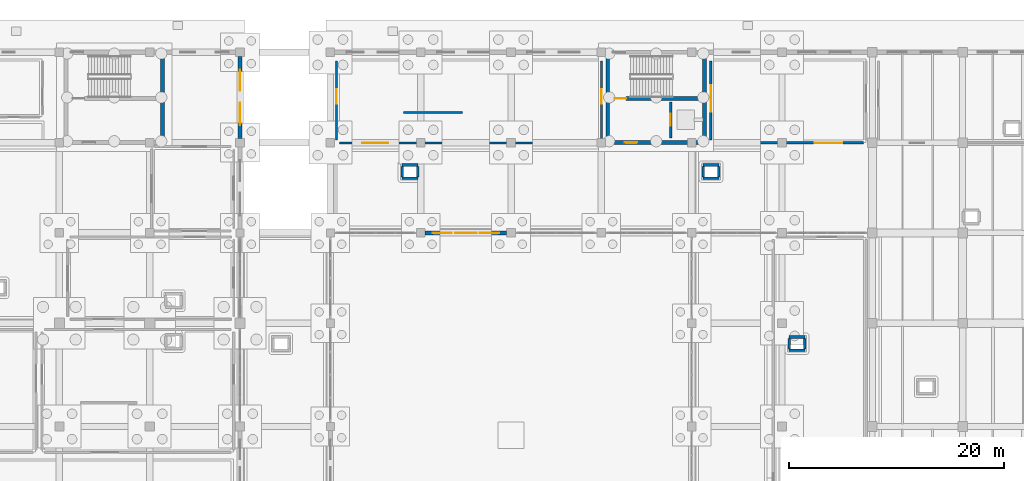
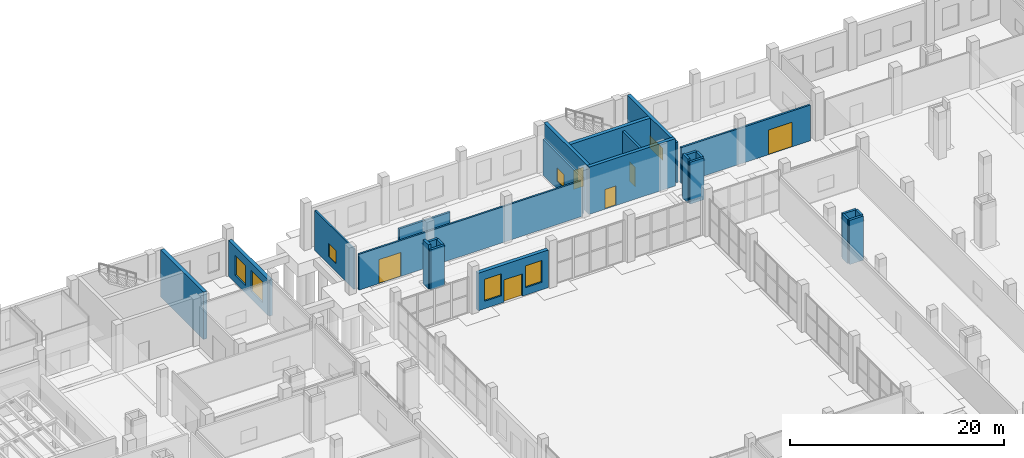
# One storey, part 44 of 65: 26 walls, 7 windows, 6 doors, 13 openings.
"""IFC4 building model written with IfcOpenShell, lengths in metres."""

import ifcopenshell
import ifcopenshell.guid

model = None  # the IFC model being written
_history = None  # IfcOwnerHistory: only IFC2X3 demands one
_inside = {}  # id of a spatial element -> (the spatial element, [elements in it])
_under = {}  # id of a project, library or spatial element -> (it, [spatial elements below it])
_declared = {}  # id of a project -> (the project, [libraries it declares])
_typed = {}  # id of a type object -> (the type object, [elements of that type])
_made_of = {}  # id of a material, layer set ... -> (it, [elements and type objects made of it])


def new_model(schema):
    """Start an empty IFC model of exactly this schema.

    Asked for "IFC4X3", IfcOpenShell would pick the latest addendum, in which some entities
    have other attributes; the version numbers below select the first issue.
    IFC2X3 requires an IfcOwnerHistory on every rooted entity: one is made here for all.
    """
    global model, _history
    if schema == "IFC4X3":
        model = ifcopenshell.file(schema_version=(4, 3, 0, 0))
    else:
        model = ifcopenshell.file(schema=schema)
    _inside.clear()
    _under.clear()
    _declared.clear()
    _typed.clear()
    _made_of.clear()
    _history = None
    if model.schema == "IFC2X3":
        org = make("IfcOrganization", Name="unknown")
        user = make(
            "IfcPersonAndOrganization",
            ThePerson=make("IfcPerson", FamilyName="unknown"),
            TheOrganization=org,
        )
        app = make(
            "IfcApplication",
            ApplicationDeveloper=org,
            Version="unknown",
            ApplicationFullName="unknown",
            ApplicationIdentifier="unknown",
        )
        _history = make(
            "IfcOwnerHistory",
            OwningUser=user,
            OwningApplication=app,
            ChangeAction="ADDED",
            CreationDate=0,
        )
    return model


def make(cls, **values):
    """One entity of the class cls with the attributes given. An attribute that is None is left unset."""
    return model.create_entity(
        cls, **{name: value for name, value in values.items() if value is not None}
    )


def rooted(cls, **values):
    """An entity with a GlobalId (a new one), such as an element, a storey or a relation."""
    return make(cls, GlobalId=ifcopenshell.guid.new(), OwnerHistory=_history, **values)


def si_unit(unit_type, name, prefix=None):
    """IfcSIUnit, for example si_unit("LENGTHUNIT", "METRE", prefix="MILLI")."""
    return make("IfcSIUnit", UnitType=unit_type, Prefix=prefix, Name=name)


def assignment(units):
    """IfcUnitAssignment: the units of a project."""
    return None if units is None else make("IfcUnitAssignment", Units=units)


def point(xyz):
    """IfcCartesianPoint."""
    return None if xyz is None else make("IfcCartesianPoint", Coordinates=xyz)


def direction(xyz):
    """IfcDirection."""
    return None if xyz is None else make("IfcDirection", DirectionRatios=xyz)


def frame(location, z_axis=None, x_axis=None):
    """IfcAxis2Placement3D, a coordinate frame: its origin and axes. An axis left out is left unset."""
    return make(
        "IfcAxis2Placement3D",
        Location=point(location),
        Axis=direction(z_axis),
        RefDirection=direction(x_axis),
    )


def frame_2d(location, x_axis=None):
    """IfcAxis2Placement2D, a coordinate frame in the plane: its origin and x axis."""
    return make(
        "IfcAxis2Placement2D", Location=point(location), RefDirection=direction(x_axis)
    )


def origin():
    """The frame at (0, 0, 0) with its axes left unset."""
    return frame((0.0, 0.0, 0.0))


def place(relative_to, where):
    """IfcLocalPlacement: puts the frame where relative to a parent placement (None: the world)."""
    return make(
        "IfcLocalPlacement", PlacementRelTo=relative_to, RelativePlacement=where
    )


def context(
    kind, dimensions, precision=None, world=None, true_north=None, identifier=None
):
    """IfcGeometricRepresentationContext, for example the 3D "Model" context."""
    return make(
        "IfcGeometricRepresentationContext",
        ContextIdentifier=identifier,
        ContextType=kind,
        CoordinateSpaceDimension=dimensions,
        Precision=precision,
        WorldCoordinateSystem=world,
        TrueNorth=true_north,
    )


def subcontext(parent, identifier, kind, view, scale=None):
    """IfcGeometricRepresentationSubContext, for example "Body" below "Model"."""
    return make(
        "IfcGeometricRepresentationSubContext",
        ContextIdentifier=identifier,
        ContextType=kind,
        ParentContext=parent,
        TargetScale=scale,
        TargetView=view,
    )


def project(units=None, contexts=None):
    """IfcProject with its units and contexts."""
    return rooted(
        "IfcProject",
        Name="project",
        RepresentationContexts=contexts,
        UnitsInContext=assignment(units),
    )


def spatial(cls, under=None, at=None, **own):
    """A site, building, storey or space (cls), placed at a placement, below another one or the project."""
    s = rooted(cls, ObjectPlacement=at, **own)
    if under is not None:
        _under.setdefault(under.id(), (under, []))[1].append(s)
    return s


def profile(cls, at=None, kind="AREA", **sizes):
    """A parametric profile (cls). Its sizes go by their IFC names, for example OverallWidth=200.0."""
    return make(cls, ProfileType=kind, Position=at, **sizes)


def rectangle(**sizes):
    """IfcRectangleProfileDef."""
    return profile("IfcRectangleProfileDef", **sizes)


def extrude(swept, where, along, depth):
    """IfcExtrudedAreaSolid: the profile swept, set in the frame where, extruded along a direction by depth."""
    return make(
        "IfcExtrudedAreaSolid",
        SweptArea=swept,
        Position=where,
        ExtrudedDirection=direction(along),
        Depth=depth,
    )


def shape(context_of_items, identifier, shape_type, items):
    """IfcShapeRepresentation: the items that make up one representation, for example the "Body"."""
    return make(
        "IfcShapeRepresentation",
        ContextOfItems=context_of_items,
        RepresentationIdentifier=identifier,
        RepresentationType=shape_type,
        Items=items,
    )


def material(Name=None, Category=None):
    """IfcMaterial."""
    return make("IfcMaterial", Name=Name, Category=Category)


def layer(
    of_material, thickness, ventilated=None, Name=None, Category=None, Priority=None
):
    """IfcMaterialLayer: one layer of a wall or slab, of a material (None: an air gap)."""
    return make(
        "IfcMaterialLayer",
        Material=of_material,
        LayerThickness=thickness,
        IsVentilated=ventilated,
        Name=Name,
        Category=Category,
        Priority=Priority,
    )


def layer_set(layers, Name=None):
    """IfcMaterialLayerSet."""
    return make("IfcMaterialLayerSet", MaterialLayers=layers, LayerSetName=Name)


def made_of(thing, what):
    """Note that an element or type object is made of a material, layer set ...; save() writes the relation."""
    if what is not None:
        _made_of.setdefault(what.id(), (what, []))[1].append(thing)
    return thing


def type_object(cls, material=None, **own):
    """A type object (cls), such as IfcWallType, which elements share."""
    return made_of(rooted(cls, **own), material)


def element(
    cls,
    number,
    at=None,
    inside=None,
    cuts=None,
    type_object=None,
    material=None,
    context=None,
    identifier="Body",
    shape_type=None,
    held_by="IfcProductDefinitionShape",
    body=None,
    shapes=None,
    **own,
):
    """One element of the class cls, such as IfcWall. Its Tag is "e" and its number.

    at: its placement. inside: the storey or other place that contains it. cuts: it is an
    opening in that element (IfcRelVoidsElement). A single representation is given by context,
    identifier, shape_type and body (its items); several are given by shapes. held_by: the class
    of the entity that holds the representations. save() writes the other relations.
    """
    e = rooted(cls, Tag="e%d" % number, ObjectPlacement=at, **own)
    if body is not None:
        shapes = [shape(context, identifier, shape_type, body)]
    if shapes is not None:
        e.Representation = make(held_by, Representations=shapes)
    if inside is not None:
        _inside.setdefault(inside.id(), (inside, []))[1].append(e)
    if cuts is not None:
        rooted(
            "IfcRelVoidsElement", RelatingBuildingElement=cuts, RelatedOpeningElement=e
        )
    if type_object is not None:
        _typed.setdefault(type_object.id(), (type_object, []))[1].append(e)
    return made_of(e, material)


def fill(opening, filler):
    """IfcRelFillsElement: the door or window that sits in an opening."""
    return rooted(
        "IfcRelFillsElement",
        RelatingOpeningElement=opening,
        RelatedBuildingElement=filler,
    )


def aggregate(whole, parts):
    """IfcRelAggregates: a whole, such as a stair, and the parts it consists of."""
    return rooted("IfcRelAggregates", RelatingObject=whole, RelatedObjects=parts)


def save(model, path):
    """Write the relations noted so far, then the file.

    IfcRelAggregates (storeys below a building ...), IfcRelContainedInSpatialStructure (elements
    in a storey), IfcRelDefinesByType, IfcRelAssociatesMaterial and IfcRelDeclares: one each for
    every whole, place, type object, material and project.
    """
    for whole, parts in _under.values():
        aggregate(whole, parts)
    for where, things in _inside.values():
        rooted(
            "IfcRelContainedInSpatialStructure",
            RelatedElements=things,
            RelatingStructure=where,
        )
    for kind, things in _typed.values():
        rooted("IfcRelDefinesByType", RelatedObjects=things, RelatingType=kind)
    for what, things in _made_of.values():
        rooted("IfcRelAssociatesMaterial", RelatedObjects=things, RelatingMaterial=what)
    for by, libraries in _declared.values():
        rooted("IfcRelDeclares", RelatingContext=by, RelatedDefinitions=libraries)
    model.write(path)


model = new_model("IFC4")

# Units and contexts
model_context = context("Model", 3, precision=1e-05, world=origin(), true_north=direction((0.0, 1.0)))
body_context = subcontext(model_context, "Body", "Model", "MODEL_VIEW")
ifc_project = project(units=[si_unit("LENGTHUNIT", "METRE"), si_unit("AREAUNIT", "SQUARE_METRE"), si_unit("VOLUMEUNIT", "CUBIC_METRE"), si_unit("PLANEANGLEUNIT", "RADIAN"), si_unit("MASSUNIT", "GRAM", prefix="KILO")], contexts=[model_context])

# Site, building, storey
site_placement = place(None, origin())
site = spatial("IfcSite", under=ifc_project, at=site_placement, CompositionType="ELEMENT")
building_placement = place(site_placement, origin())
building = spatial("IfcBuilding", under=site, at=building_placement, Name="Zulmaris Art Gallery", CompositionType="ELEMENT")
storey_placement = place(building_placement, origin())
storey = spatial("IfcBuildingStorey", under=building, at=storey_placement, Name="L00", CompositionType="ELEMENT", Elevation=0.0)

# Wall, openings, door, windows
ifc_material_1 = material(Name="Omani Desert Rose Limestone Cladding Wall", Category="masonry")
ifc_layer_1 = layer(ifc_material_1, 0.389892578125)
ifc_layer_set_1 = layer_set([ifc_layer_1], Name="Omani Desert Rose Limestone Cladding Wall")
wall_type_1 = type_object("IfcWallType", Name="ENV-WALL-EW02", PredefinedType="SOLIDWALL", material=ifc_layer_set_1)
wall_1_placement = place(storey_placement, frame((100.001953125, 58.800048828125, 0.0), z_axis=(0.0, 0.0, 1.0), x_axis=(1.0, 0.0, 0.0)))
wall_1 = element("IfcWall", 1, at=wall_1_placement, inside=storey, type_object=wall_type_1, Name="L00 V4 North Court Limestone Portal", PredefinedType="SOLIDWALL", context=body_context, shape_type="SweptSolid", body=[
    extrude(rectangle(XDim=7.595947265625, YDim=0.389892578125, at=frame_2d((3.7978515625, 0.0))), origin(), (0.0, 0.0, 1.0), 4.2900390625),
])
opening_1_placement = place(wall_1_placement, frame((0.697998046875, 0.0, 0.85009765625)))
opening_1 = element("IfcOpeningElement", 2, at=opening_1_placement, cuts=wall_1, Name="Opening W02", PredefinedType="OPENING", context=body_context, shape_type="SweptSolid", body=[
    extrude(rectangle(XDim=1.800048828125, YDim=2.5, at=frame_2d((0.89990234375, 1.25))), frame((0.0, 0.204833984375, 0.0), z_axis=(0.0, -1.0, 0.0), x_axis=(1.0, 0.0, 0.0)), (0.0, 0.0, 1.0), 0.409912109375),
])
opening_2_placement = place(wall_1_placement, frame((5.097900390625, 0.0, 0.85009765625)))
opening_2 = element("IfcOpeningElement", 3, at=opening_2_placement, cuts=wall_1, Name="Opening W02", PredefinedType="OPENING", context=body_context, shape_type="SweptSolid", body=[
    extrude(rectangle(XDim=1.800048828125, YDim=2.5, at=frame_2d((0.89990234375, 1.25))), frame((0.0, 0.204833984375, 0.0), z_axis=(0.0, -1.0, 0.0), x_axis=(1.0, 0.0, 0.0)), (0.0, 0.0, 1.0), 0.409912109375),
])
opening_3_placement = place(wall_1_placement, frame((2.798095703125, 0.0, 0.0)))
opening_3 = element("IfcOpeningElement", 4, at=opening_3_placement, cuts=wall_1, Name="Opening ED01", PredefinedType="OPENING", context=body_context, shape_type="SweptSolid", body=[
    extrude(rectangle(XDim=2.0, YDim=2.550048828125, at=frame_2d((1.0, 1.27490234375))), frame((0.0, 0.204833984375, 0.0), z_axis=(0.0, -1.0, 0.0), x_axis=(1.0, 0.0, 0.0)), (0.0, 0.0, 1.0), 0.409912109375),
])
ifc_material_2 = material(Name="Bronze-Framed Glazed Main Entrance Door", Category="glass")
door_type_1 = type_object("IfcDoorType", Name="EDOOR-ED01", OperationType="DOUBLE_SWING_LEFT", PredefinedType="DOOR", material=ifc_material_2)
door_1_placement = place(opening_3_placement, origin())
door_1 = element("IfcDoor", 5, at=door_1_placement, inside=storey, type_object=door_type_1, Name="L00 Sculpture Court North Gallery Door", OperationType="DOUBLE_SWING_LEFT", OverallHeight=2.550048828125, OverallWidth=2.0, PredefinedType="DOOR", context=body_context, shape_type="SweptSolid", body=[
    extrude(rectangle(XDim=2.0, YDim=2.550048828125, at=frame_2d((1.0, 1.27490234375))), frame((0.0, 0.02490234375, 0.0), z_axis=(0.0, -1.0, 0.0), x_axis=(1.0, 0.0, 0.0)), (0.0, 0.0, 1.0), 0.050048828125),
])
fill(opening_3, door_1)
ifc_material_3 = material(Name="Double-Glazed Solar-Control Low-E Window", Category="glass")
window_type_1 = type_object("IfcWindowType", Name="WIN-W02", PartitioningType="SINGLE_PANEL", PredefinedType="WINDOW", material=ifc_material_3)
window_1_placement = place(opening_1_placement, origin())
window_1 = element("IfcWindow", 6, at=window_1_placement, inside=storey, type_object=window_type_1, Name="L00 exterior window W02", OverallHeight=2.5, OverallWidth=1.800048828125, PartitioningType="SINGLE_PANEL", PredefinedType="WINDOW", context=body_context, shape_type="SweptSolid", body=[
    extrude(rectangle(XDim=1.800048828125, YDim=2.5, at=frame_2d((0.89990234375, 1.25))), frame((0.0, 0.030029296875, 0.0), z_axis=(0.0, -1.0, 0.0), x_axis=(1.0, 0.0, 0.0)), (0.0, 0.0, 1.0), 0.06005859375),
])
fill(opening_1, window_1)
window_2_placement = place(opening_2_placement, origin())
window_2 = element("IfcWindow", 7, at=window_2_placement, inside=storey, type_object=window_type_1, Name="L00 exterior window W02", OverallHeight=2.5, OverallWidth=1.800048828125, PartitioningType="SINGLE_PANEL", PredefinedType="WINDOW", context=body_context, shape_type="SweptSolid", body=[
    extrude(rectangle(XDim=1.800048828125, YDim=2.5, at=frame_2d((0.89990234375, 1.25))), frame((0.0, 0.030029296875, 0.0), z_axis=(0.0, -1.0, 0.0), x_axis=(1.0, 0.0, 0.0)), (0.0, 0.0, 1.0), 0.06005859375),
])
fill(opening_2, window_2)

# Wall, openings, windows
wall_2_placement = place(storey_placement, frame((82.800048828125, 67.60205078125, 0.0), z_axis=(0.0, 0.0, 1.0), x_axis=(0.0, 1.0, 0.0)))
wall_2 = element("IfcWall", 8, at=wall_2_placement, inside=storey, type_object=wall_type_1, Name="L00 V3 East Learning Studio Wall", PredefinedType="SOLIDWALL", context=body_context, shape_type="SweptSolid", body=[
    extrude(rectangle(XDim=7.595947265625, YDim=0.389892578125, at=frame_2d((3.7978515625, 0.0))), origin(), (0.0, 0.0, 1.0), 4.090087890625),
])
opening_4_placement = place(wall_2_placement, frame((1.218017578125, 0.0, 0.85009765625)))
opening_4 = element("IfcOpeningElement", 9, at=opening_4_placement, cuts=wall_2, Name="Opening W03", PredefinedType="OPENING", context=body_context, shape_type="SweptSolid", body=[
    extrude(rectangle(XDim=2.10009765625, YDim=2.39990234375, at=frame_2d((1.050048828125, 1.199951171875))), frame((0.0, 0.204833984375, 0.0), z_axis=(0.0, -1.0, 0.0), x_axis=(1.0, 0.0, 0.0)), (0.0, 0.0, 1.0), 0.409912109375),
])
opening_5_placement = place(wall_2_placement, frame((4.41796875, 0.0, 0.85009765625)))
opening_5 = element("IfcOpeningElement", 10, at=opening_5_placement, cuts=wall_2, Name="Opening W08", PredefinedType="OPENING", context=body_context, shape_type="SweptSolid", body=[
    extrude(rectangle(XDim=1.949951171875, YDim=2.300048828125, at=frame_2d((0.97509765625, 1.14990234375))), frame((0.0, 0.204833984375, 0.0), z_axis=(0.0, -1.0, 0.0), x_axis=(1.0, 0.0, 0.0)), (0.0, 0.0, 1.0), 0.409912109375),
])
ifc_material_4 = material(Name="Double-Glazed Bronze-Framed Studio Window", Category="glass")
window_type_2 = type_object("IfcWindowType", Name="WIN-W03", PartitioningType="SINGLE_PANEL", PredefinedType="WINDOW", material=ifc_material_4)
window_3_placement = place(opening_4_placement, origin())
window_3 = element("IfcWindow", 11, at=window_3_placement, inside=storey, type_object=window_type_2, Name="L00 exterior window W03", OverallHeight=2.39990234375, OverallWidth=2.10009765625, PartitioningType="SINGLE_PANEL", PredefinedType="WINDOW", context=body_context, shape_type="SweptSolid", body=[
    extrude(rectangle(XDim=2.10009765625, YDim=2.39990234375, at=frame_2d((1.050048828125, 1.199951171875))), frame((0.0, 0.030029296875, 0.0), z_axis=(0.0, -1.0, 0.0), x_axis=(1.0, 0.0, 0.0)), (0.0, 0.0, 1.0), 0.06005859375),
])
fill(opening_4, window_3)
ifc_material_5 = material(Name="Curatorial North Studio Window", Category="glass")
window_type_3 = type_object("IfcWindowType", Name="WIN-W08", PartitioningType="SINGLE_PANEL", PredefinedType="WINDOW", material=ifc_material_5)
window_4_placement = place(opening_5_placement, origin())
window_4 = element("IfcWindow", 12, at=window_4_placement, inside=storey, type_object=window_type_3, Name="L00 exterior window W08", OverallHeight=2.300048828125, OverallWidth=1.949951171875, PartitioningType="SINGLE_PANEL", PredefinedType="WINDOW", context=body_context, shape_type="SweptSolid", body=[
    extrude(rectangle(XDim=1.949951171875, YDim=2.300048828125, at=frame_2d((0.97509765625, 1.14990234375))), frame((0.0, 0.030029296875, 0.0), z_axis=(0.0, -1.0, 0.0), x_axis=(1.0, 0.0, 0.0)), (0.0, 0.0, 1.0), 0.06005859375),
])
fill(opening_5, window_4)

# Wall
ifc_material_6 = material(Name="Freestanding Sculpture Plinth Screen Wall C", Category="timber")
ifc_layer_2 = layer(ifc_material_6, 0.2119140625)
ifc_layer_set_2 = layer_set([ifc_layer_2], Name="Freestanding Sculpture Plinth Screen Wall C")
wall_type_2 = type_object("IfcWallType", Name="IWALL-MW03", PredefinedType="MOVABLE", material=ifc_layer_set_2)
wall_3_placement = place(storey_placement, frame((98.0, 70.0, 0.0), z_axis=(0.0, 0.0, 1.0), x_axis=(1.0, 0.0, 0.0)))
element("IfcWall", 13, at=wall_3_placement, inside=storey, type_object=wall_type_2, Name="L00 Movable Gallery Display Wall 3", PredefinedType="MOVABLE", context=body_context, shape_type="SweptSolid", body=[
    extrude(rectangle(XDim=5.5, YDim=0.2119140625, at=frame_2d((2.75, 0.0))), origin(), (0.0, 0.0, 1.0), 3.199951171875),
])

# Wall, opening, door
ifc_material_7 = material(Name="Conservation Laboratory Partition", Category="masonry")
ifc_layer_3 = layer(ifc_material_7, 0.18994140625)
ifc_layer_set_3 = layer_set([ifc_layer_3], Name="Conservation Laboratory Partition")
wall_type_3 = type_object("IfcWallType", Name="IWALL-PW07", PredefinedType="PARTITIONING", material=ifc_layer_set_3)
wall_4_placement = place(storey_placement, frame((92.030029296875, 67.179931640625, 0.0), z_axis=(0.0, 0.0, 1.0), x_axis=(1.0, 0.0, 0.0)))
wall_4 = element("IfcWall", 14, at=wall_4_placement, inside=storey, type_object=wall_type_3, Name="Arabian Peninsula Sculpture Gallery S partition", PredefinedType="PARTITIONING", context=body_context, shape_type="SweptSolid", body=[
    extrude(rectangle(XDim=24.139892578125, YDim=0.18994140625, at=frame_2d((12.06982421875, 0.0))), origin(), (0.0, 0.0, 1.0), 4.090087890625),
])
opening_6_placement = place(wall_4_placement, frame((2.14990234375, 0.0, 0.0)))
opening_6 = element("IfcOpeningElement", 15, at=opening_6_placement, cuts=wall_4, Name="Opening VG01", PredefinedType="OPENING", context=body_context, shape_type="SweptSolid", body=[
    extrude(rectangle(XDim=2.3798828125, YDim=2.739990234375, at=frame_2d((1.18994140625, 1.3701171875))), frame((0.0, 0.10498046875, 0.0), z_axis=(0.0, -1.0, 0.0), x_axis=(1.0, 0.0, 0.0)), (0.0, 0.0, 1.0), 0.2099609375),
])
ifc_material_8 = material(Name="Climate Art Vault Vapor-Sealed Gate A", Category="steel")
door_type_2 = type_object("IfcDoorType", Name="IDOOR-VG01", OperationType="DOUBLE_SWING_LEFT", PredefinedType="GATE", material=ifc_material_8)
door_2_placement = place(opening_6_placement, origin())
door_2 = element("IfcDoor", 16, at=door_2_placement, inside=storey, type_object=door_type_2, Name="Arabian Peninsula Sculpture Gallery Door", OperationType="DOUBLE_SWING_LEFT", OverallHeight=2.739990234375, OverallWidth=2.3798828125, PredefinedType="GATE", context=body_context, shape_type="SweptSolid", body=[
    extrude(rectangle(XDim=2.3798828125, YDim=2.739990234375, at=frame_2d((1.18994140625, 1.3701171875))), frame((0.0, 0.02490234375, 0.0), z_axis=(0.0, -1.0, 0.0), x_axis=(1.0, 0.0, 0.0)), (0.0, 0.0, 1.0), 0.050048828125),
])
fill(opening_6, door_2)

# Wall, opening, window
wall_5_placement = place(storey_placement, frame((91.780029296875, 67.429931640625, 0.0), z_axis=(0.0, 0.0, 1.0), x_axis=(0.0, 1.0, 0.0)))
wall_5 = element("IfcWall", 17, at=wall_5_placement, inside=storey, type_object=wall_type_3, Name="Arabian Peninsula Sculpture Gallery W partition", PredefinedType="PARTITIONING", context=body_context, shape_type="SweptSolid", body=[
    extrude(rectangle(XDim=7.340087890625, YDim=0.18994140625, at=frame_2d((3.669921875, 0.0))), origin(), (0.0, 0.0, 1.0), 4.590087890625),
])
opening_7_placement = place(wall_5_placement, frame((3.39990234375, 0.0, 0.89990234375)))
opening_7 = element("IfcOpeningElement", 18, at=opening_7_placement, cuts=wall_5, Name="Opening IW04", PredefinedType="OPENING", context=body_context, shape_type="SweptSolid", body=[
    extrude(rectangle(XDim=1.320068359375, YDim=1.5, at=frame_2d((0.66015625, 0.75))), frame((0.0, 0.10498046875, 0.0), z_axis=(0.0, -1.0, 0.0), x_axis=(1.0, 0.0, 0.0)), (0.0, 0.0, 1.0), 0.2099609375),
])
ifc_material_9 = material(Name="Curatorial Study Vitrine Window", Category="glass")
window_type_4 = type_object("IfcWindowType", Name="IWIN-IW04", PartitioningType="SINGLE_PANEL", PredefinedType="WINDOW", material=ifc_material_9)
window_5_placement = place(opening_7_placement, origin())
window_5 = element("IfcWindow", 19, at=window_5_placement, inside=storey, type_object=window_type_4, Name="L00 interior observation window IW04", OverallHeight=1.5, OverallWidth=1.320068359375, PartitioningType="SINGLE_PANEL", PredefinedType="WINDOW", context=body_context, shape_type="SweptSolid", body=[
    extrude(rectangle(XDim=1.320068359375, YDim=1.5, at=frame_2d((0.66015625, 0.75))), frame((0.0, 0.030029296875, 0.0), z_axis=(0.0, -1.0, 0.0), x_axis=(1.0, 0.0, 0.0)), (0.0, 0.0, 1.0), 0.06005859375),
])
fill(opening_7, window_5)

wall_6_placement = place(storey_placement, frame((116.419921875, 67.429931640625, 0.0), z_axis=(0.0, 0.0, 1.0), x_axis=(0.0, 1.0, 0.0)))
wall_6 = element("IfcWall", 20, at=wall_6_placement, inside=storey, type_object=wall_type_3, Name="Arabian Peninsula Sculpture Gallery E partition", PredefinedType="PARTITIONING", context=body_context, shape_type="SweptSolid", body=[
    extrude(rectangle(XDim=7.340087890625, YDim=0.18994140625, at=frame_2d((3.669921875, 0.0))), origin(), (0.0, 0.0, 1.0), 4.090087890625),
])
opening_8_placement = place(wall_6_placement, frame((3.39990234375, 0.0, 0.89990234375)))
opening_8 = element("IfcOpeningElement", 21, at=opening_8_placement, cuts=wall_6, Name="Opening IW04", PredefinedType="OPENING", context=body_context, shape_type="SweptSolid", body=[
    extrude(rectangle(XDim=1.320068359375, YDim=1.5, at=frame_2d((0.66015625, 0.75))), frame((0.0, 0.10498046875, 0.0), z_axis=(0.0, -1.0, 0.0), x_axis=(1.0, 0.0, 0.0)), (0.0, 0.0, 1.0), 0.2099609375),
])
window_6_placement = place(opening_8_placement, origin())
window_6 = element("IfcWindow", 22, at=window_6_placement, inside=storey, type_object=window_type_4, Name="L00 interior observation window IW04", OverallHeight=1.5, OverallWidth=1.320068359375, PartitioningType="SINGLE_PANEL", PredefinedType="WINDOW", context=body_context, shape_type="SweptSolid", body=[
    extrude(rectangle(XDim=1.320068359375, YDim=1.5, at=frame_2d((0.66015625, 0.75))), frame((0.0, 0.030029296875, 0.0), z_axis=(0.0, -1.0, 0.0), x_axis=(1.0, 0.0, 0.0)), (0.0, 0.0, 1.0), 0.06005859375),
])
fill(opening_8, window_6)

# Wall, opening, door
ifc_material_10 = material(Name="Fire-Rated Corridor Compartment Wall", Category="masonry")
ifc_layer_4 = layer(ifc_material_10, 0.205078125)
ifc_layer_set_4 = layer_set([ifc_layer_4], Name="Fire-Rated Corridor Compartment Wall")
wall_type_4 = type_object("IfcWallType", Name="IWALL-PW08", PredefinedType="PARTITIONING", material=ifc_layer_set_4)
wall_7_placement = place(storey_placement, frame((126.830078125, 67.179931640625, 0.0), z_axis=(0.0, 0.0, 1.0), x_axis=(1.0, 0.0, 0.0)))
wall_7 = element("IfcWall", 23, at=wall_7_placement, inside=storey, type_object=wall_type_4, Name="Decorative Arts & Silverwork Gallery S partition", PredefinedType="PARTITIONING", context=body_context, shape_type="SweptSolid", body=[
    extrude(rectangle(XDim=13.93994140625, YDim=0.205078125, at=frame_2d((6.969970703125, 0.0))), origin(), (0.0, 0.0, 1.0), 4.090087890625),
])
opening_9_placement = place(wall_7_placement, frame((9.39990234375, 0.0, 0.0)))
opening_9 = element("IfcOpeningElement", 24, at=opening_9_placement, cuts=wall_7, Name="Opening VG02", PredefinedType="OPENING", context=body_context, shape_type="SweptSolid", body=[
    extrude(rectangle(XDim=2.580078125, YDim=2.820068359375, at=frame_2d((1.2900390625, 1.41015625))), frame((0.0, 0.112548828125, 0.0), z_axis=(0.0, -1.0, 0.0), x_axis=(1.0, 0.0, 0.0)), (0.0, 0.0, 1.0), 0.22509765625),
])
ifc_material_11 = material(Name="Sculpture Vault Heavy Security Gate B", Category="steel")
door_type_3 = type_object("IfcDoorType", Name="IDOOR-VG02", OperationType="DOUBLE_SWING_RIGHT", PredefinedType="GATE", material=ifc_material_11)
door_3_placement = place(opening_9_placement, origin())
door_3 = element("IfcDoor", 25, at=door_3_placement, inside=storey, type_object=door_type_3, Name="Decorative Arts & Silverwork Gallery Door", OperationType="DOUBLE_SWING_RIGHT", OverallHeight=2.820068359375, OverallWidth=2.580078125, PredefinedType="GATE", context=body_context, shape_type="SweptSolid", body=[
    extrude(rectangle(XDim=2.580078125, YDim=2.820068359375, at=frame_2d((1.2900390625, 1.41015625))), frame((0.0, 0.02490234375, 0.0), z_axis=(0.0, -1.0, 0.0), x_axis=(1.0, 0.0, 0.0)), (0.0, 0.0, 1.0), 0.050048828125),
])
fill(opening_9, door_3)

# Wall, opening, window
wall_8_placement = place(storey_placement, frame((126.580078125, 67.429931640625, 0.0), z_axis=(0.0, 0.0, 1.0), x_axis=(0.0, 1.0, 0.0)))
wall_8 = element("IfcWall", 26, at=wall_8_placement, inside=storey, type_object=wall_type_4, Name="Decorative Arts & Silverwork Gallery W partition", PredefinedType="PARTITIONING", context=body_context, shape_type="SweptSolid", body=[
    extrude(rectangle(XDim=7.340087890625, YDim=0.205078125, at=frame_2d((3.669921875, 0.0))), origin(), (0.0, 0.0, 1.0), 4.590087890625),
])
opening_10_placement = place(wall_8_placement, frame((2.64990234375, 0.0, 0.89990234375)))
opening_10 = element("IfcOpeningElement", 27, at=opening_10_placement, cuts=wall_8, Name="Opening IW05", PredefinedType="OPENING", context=body_context, shape_type="SweptSolid", body=[
    extrude(rectangle(XDim=2.4599609375, YDim=1.3798828125, at=frame_2d((1.22998046875, 0.68994140625))), frame((0.0, 0.112548828125, 0.0), z_axis=(0.0, -1.0, 0.0), x_axis=(1.0, 0.0, 0.0)), (0.0, 0.0, 1.0), 0.22509765625),
])
ifc_material_12 = material(Name="Workshop Safety Observation Window", Category="glass")
window_type_5 = type_object("IfcWindowType", Name="IWIN-IW05", PartitioningType="SINGLE_PANEL", PredefinedType="WINDOW", material=ifc_material_12)
window_7_placement = place(opening_10_placement, origin())
window_7 = element("IfcWindow", 28, at=window_7_placement, inside=storey, type_object=window_type_5, Name="L00 interior observation window IW05", OverallHeight=1.3798828125, OverallWidth=2.4599609375, PartitioningType="SINGLE_PANEL", PredefinedType="WINDOW", context=body_context, shape_type="SweptSolid", body=[
    extrude(rectangle(XDim=2.4599609375, YDim=1.3798828125, at=frame_2d((1.22998046875, 0.68994140625))), frame((0.0, 0.030029296875, 0.0), z_axis=(0.0, -1.0, 0.0), x_axis=(1.0, 0.0, 0.0)), (0.0, 0.0, 1.0), 0.06005859375),
])
fill(opening_10, window_7)

# Wall, opening, door
ifc_material_13 = material(Name="Core Lobby Fire-Resisting Masonry Wall", Category="masonry")
ifc_layer_5 = layer(ifc_material_13, 0.235107421875)
ifc_layer_set_5 = layer_set([ifc_layer_5], Name="Core Lobby Fire-Resisting Masonry Wall")
wall_type_5 = type_object("IfcWallType", Name="IWALL-PW10", PredefinedType="PARTITIONING", material=ifc_layer_set_5)
wall_9_placement = place(storey_placement, frame((122.85009765625, 67.64990234375, 0.0), z_axis=(0.0, 0.0, 1.0), x_axis=(0.0, 1.0, 0.0)))
wall_9 = element("IfcWall", 29, at=wall_9_placement, inside=storey, type_object=wall_type_5, Name="LF-P3 L00 lift shaft front wall", PredefinedType="PARTITIONING", context=body_context, shape_type="SweptSolid", body=[
    extrude(rectangle(XDim=3.330078125, YDim=0.235107421875, at=frame_2d((1.6650390625, 0.0))), origin(), (0.0, 0.0, 1.0), 5.0400390625),
])
opening_11_placement = place(wall_9_placement, frame((1.114990234375, 0.0, 0.0)))
opening_11 = element("IfcOpeningElement", 30, at=opening_11_placement, cuts=wall_9, Name="Opening LD01", PredefinedType="OPENING", context=body_context, shape_type="SweptSolid", body=[
    extrude(rectangle(XDim=1.10009765625, YDim=2.199951171875, at=frame_2d((0.550048828125, 1.10009765625))), frame((0.0, 0.12744140625, 0.0), z_axis=(0.0, -1.0, 0.0), x_axis=(1.0, 0.0, 0.0)), (0.0, 0.0, 1.0), 0.255126953125),
])
ifc_material_14 = material(Name="Passenger Lift Sliding Landing Door", Category="steel")
door_type_4 = type_object("IfcDoorType", Name="IDOOR-LD01", OperationType="SLIDING_TO_LEFT", PredefinedType="DOOR", material=ifc_material_14)
door_4_placement = place(opening_11_placement, origin())
door_4 = element("IfcDoor", 31, at=door_4_placement, inside=storey, type_object=door_type_4, Name="LF-P3 L00 Lift Landing Sliding Door", OperationType="SLIDING_TO_LEFT", OverallHeight=2.199951171875, OverallWidth=1.10009765625, PredefinedType="DOOR", context=body_context, shape_type="SweptSolid", body=[
    extrude(rectangle(XDim=1.10009765625, YDim=2.199951171875, at=frame_2d((0.550048828125, 1.10009765625))), frame((0.0, 0.02490234375, 0.0), z_axis=(0.0, -1.0, 0.0), x_axis=(1.0, 0.0, 0.0)), (0.0, 0.0, 1.0), 0.050048828125),
])
fill(opening_11, door_4)

# Walls
ifc_material_15 = material(Name="MEP Riser & Smoke Shaft Enclosure Wall", Category="masonry")
ifc_layer_6 = layer(ifc_material_15, 0.2548828125)
ifc_layer_set_6 = layer_set([ifc_layer_6], Name="MEP Riser & Smoke Shaft Enclosure Wall")
wall_type_6 = type_object("IfcWallType", Name="IWALL-PW11", PredefinedType="PARTITIONING", material=ifc_layer_set_6)
for number, where, z_axis, x_axis, name in (
    (32, (97.860107421875, 65.1201171875, 0.0), (0.0, 0.0, 1.0), (1.0, 0.0, 0.0), "L00 MEP Riser 9 N wall"),
    (33, (97.860107421875, 63.8798828125, 0.0), (0.0, 0.0, 1.0), (1.0, 0.0, 0.0), "L00 MEP Riser 9 S wall"),
):
    element("IfcWall", number, at=place(storey_placement, frame(where, z_axis=z_axis, x_axis=x_axis)), inside=storey, type_object=wall_type_6, Name=name, PredefinedType="PARTITIONING", context=body_context, shape_type="SweptSolid", body=[
        extrude(rectangle(XDim=1.47998046875, YDim=0.2548828125, at=frame_2d((0.739990234375, 0.0))), origin(), (0.0, 0.0, 1.0), 4.590087890625),
    ])
wall_10_placement = place(storey_placement, frame((97.8798828125, 64.0, 0.0), z_axis=(0.0, 0.0, 1.0), x_axis=(0.0, 1.0, 0.0)))
element("IfcWall", 34, at=wall_10_placement, inside=storey, type_object=wall_type_6, Name="L00 MEP Riser 9 W wall", PredefinedType="PARTITIONING", context=body_context, shape_type="SweptSolid", body=[
    extrude(rectangle(XDim=1.0, YDim=0.2548828125, at=frame_2d((0.5, 0.0))), origin(), (0.0, 0.0, 1.0), 5.0400390625),
])
wall_11_placement = place(storey_placement, frame((99.320068359375, 64.0, 0.0), z_axis=(0.0, 0.0, 1.0), x_axis=(0.0, 1.0, 0.0)))
element("IfcWall", 35, at=wall_11_placement, inside=storey, type_object=wall_type_6, Name="L00 MEP Riser 9 E wall", PredefinedType="PARTITIONING", context=body_context, shape_type="SweptSolid", body=[
    extrude(rectangle(XDim=1.0, YDim=0.2548828125, at=frame_2d((0.5, 0.0))), origin(), (0.0, 0.0, 1.0), 4.590087890625),
])
for number, where, z_axis, x_axis, name in (
    (36, (125.860107421875, 65.1201171875, 0.0), (0.0, 0.0, 1.0), (1.0, 0.0, 0.0), "L00 MEP Riser 10 N wall"),
    (37, (125.860107421875, 63.8798828125, 0.0), (0.0, 0.0, 1.0), (1.0, 0.0, 0.0), "L00 MEP Riser 10 S wall"),
):
    element("IfcWall", number, at=place(storey_placement, frame(where, z_axis=z_axis, x_axis=x_axis)), inside=storey, type_object=wall_type_6, Name=name, PredefinedType="PARTITIONING", context=body_context, shape_type="SweptSolid", body=[
        extrude(rectangle(XDim=1.47998046875, YDim=0.2548828125, at=frame_2d((0.739990234375, 0.0))), origin(), (0.0, 0.0, 1.0), 4.77001953125),
    ])
wall_12_placement = place(storey_placement, frame((125.8798828125, 64.0, 0.0), z_axis=(0.0, 0.0, 1.0), x_axis=(0.0, 1.0, 0.0)))
element("IfcWall", 38, at=wall_12_placement, inside=storey, type_object=wall_type_6, Name="L00 MEP Riser 10 W wall", PredefinedType="PARTITIONING", context=body_context, shape_type="SweptSolid", body=[
    extrude(rectangle(XDim=1.0, YDim=0.2548828125, at=frame_2d((0.5, 0.0))), origin(), (0.0, 0.0, 1.0), 5.0400390625),
])
wall_13_placement = place(storey_placement, frame((127.320068359375, 64.0, 0.0), z_axis=(0.0, 0.0, 1.0), x_axis=(0.0, 1.0, 0.0)))
element("IfcWall", 39, at=wall_13_placement, inside=storey, type_object=wall_type_6, Name="L00 MEP Riser 10 E wall", PredefinedType="PARTITIONING", context=body_context, shape_type="SweptSolid", body=[
    extrude(rectangle(XDim=1.0, YDim=0.2548828125, at=frame_2d((0.5, 0.0))), origin(), (0.0, 0.0, 1.0), 4.77001953125),
])
for number, where, z_axis, x_axis, name in (
    (40, (133.860107421875, 49.1201171875, 0.0), (0.0, 0.0, 1.0), (1.0, 0.0, 0.0), "L00 MEP Riser 12 N wall"),
    (41, (133.860107421875, 47.8798828125, 0.0), (0.0, 0.0, 1.0), (1.0, 0.0, 0.0), "L00 MEP Riser 12 S wall"),
):
    element("IfcWall", number, at=place(storey_placement, frame(where, z_axis=z_axis, x_axis=x_axis)), inside=storey, type_object=wall_type_6, Name=name, PredefinedType="PARTITIONING", context=body_context, shape_type="SweptSolid", body=[
        extrude(rectangle(XDim=1.47998046875, YDim=0.2548828125, at=frame_2d((0.739990234375, 0.0))), origin(), (0.0, 0.0, 1.0), 5.0400390625),
    ])
for number, where, z_axis, x_axis, name in (
    (42, (133.8798828125, 48.0, 0.0), (0.0, 0.0, 1.0), (0.0, 1.0, 0.0), "L00 MEP Riser 12 W wall"),
    (43, (135.320068359375, 48.0, 0.0), (0.0, 0.0, 1.0), (0.0, 1.0, 0.0), "L00 MEP Riser 12 E wall"),
):
    element("IfcWall", number, at=place(storey_placement, frame(where, z_axis=z_axis, x_axis=x_axis)), inside=storey, type_object=wall_type_6, Name=name, PredefinedType="PARTITIONING", context=body_context, shape_type="SweptSolid", body=[
        extrude(rectangle(XDim=1.0, YDim=0.2548828125, at=frame_2d((0.5, 0.0))), origin(), (0.0, 0.0, 1.0), 5.0400390625),
    ])

# Wall, opening, door
ifc_material_16 = material(Name="Concrete C50/60", Category="concrete")
ifc_layer_7 = layer(ifc_material_16, 0.35009765625)
ifc_layer_set_7 = layer_set([ifc_layer_7], Name="Concrete C50/60")
wall_type_7 = type_object("IfcWallType", Name="STR-WALL-SW01", PredefinedType="SHEAR", material=ifc_layer_set_7)
wall_14_placement = place(storey_placement, frame((116.824951171875, 67.199951171875, 0.0), z_axis=(0.0, 0.0, 1.0), x_axis=(1.0, 0.0, 0.0)))
wall_14 = element("IfcWall", 44, at=wall_14_placement, inside=storey, type_object=wall_type_7, Name="Core C5 L00 S shear wall", PredefinedType="SHEAR", context=body_context, shape_type="SweptSolid", body=[
    extrude(rectangle(XDim=9.35009765625, YDim=0.35009765625, at=frame_2d((4.675048828125, 0.0))), origin(), (0.0, 0.0, 1.0), 5.39990234375),
])
opening_12_placement = place(wall_14_placement, frame((1.75, 0.0, 0.0)))
opening_12 = element("IfcOpeningElement", 45, at=opening_12_placement, cuts=wall_14, Name="Opening D08", PredefinedType="OPENING", context=body_context, shape_type="SweptSolid", body=[
    extrude(rectangle(XDim=1.179931640625, YDim=2.239990234375, at=frame_2d((0.58984375, 1.1201171875))), frame((0.0, 0.18505859375, 0.0), z_axis=(0.0, -1.0, 0.0), x_axis=(1.0, 0.0, 0.0)), (0.0, 0.0, 1.0), 0.3701171875),
])
ifc_material_17 = material(Name="Firefighting Lobby Compartment Door", Category="steel")
door_type_5 = type_object("IfcDoorType", Name="IDOOR-D08", OperationType="NOTDEFINED", PredefinedType="DOOR", material=ifc_material_17)
door_5_placement = place(opening_12_placement, origin())
door_5 = element("IfcDoor", 46, at=door_5_placement, inside=storey, type_object=door_type_5, Name="Core C5 L00 Lobby Compartment Door", OperationType="SINGLE_SWING_RIGHT", OverallHeight=2.239990234375, OverallWidth=1.179931640625, PredefinedType="DOOR", context=body_context, shape_type="SweptSolid", body=[
    extrude(rectangle(XDim=1.179931640625, YDim=2.239990234375, at=frame_2d((0.58984375, 1.1201171875))), frame((0.0, 0.02490234375, 0.0), z_axis=(0.0, -1.0, 0.0), x_axis=(1.0, 0.0, 0.0)), (0.0, 0.0, 1.0), 0.050048828125),
])
fill(opening_12, door_5)

# Walls
for number, where, z_axis, x_axis, name in (
    (47, (117.0, 67.375, 0.0), (0.0, 0.0, 1.0), (0.0, 1.0, 0.0), "Core C5 L00 W shear wall"),
    (48, (126.0, 67.375, 0.0), (0.0, 0.0, 1.0), (0.0, 1.0, 0.0), "Core C5 L00 E shear wall"),
):
    element("IfcWall", number, at=place(storey_placement, frame(where, z_axis=z_axis, x_axis=x_axis)), inside=storey, type_object=wall_type_7, Name=name, PredefinedType="SHEAR", context=body_context, shape_type="SweptSolid", body=[
        extrude(rectangle(XDim=8.050048828125, YDim=0.35009765625, at=frame_2d((4.02490234375, 0.0))), origin(), (0.0, 0.0, 1.0), 5.39990234375),
    ])

# Wall, opening, door
ifc_layer_8 = layer(ifc_material_16, 0.3798828125)
ifc_layer_set_8 = layer_set([ifc_layer_8], Name="Concrete C50/60")
wall_type_8 = type_object("IfcWallType", Name="STR-WALL-SW02", PredefinedType="SHEAR", material=ifc_layer_set_8)
wall_15_placement = place(storey_placement, frame((117.175048828125, 71.2900390625, 0.0), z_axis=(0.0, 0.0, 1.0), x_axis=(1.0, 0.0, 0.0)))
wall_15 = element("IfcWall", 49, at=wall_15_placement, inside=storey, type_object=wall_type_8, Name="Core C5 L00 DIV shear wall", PredefinedType="SHEAR", context=body_context, shape_type="SweptSolid", body=[
    extrude(rectangle(XDim=8.64990234375, YDim=0.3798828125, at=frame_2d((4.324951171875, 0.0))), origin(), (0.0, 0.0, 1.0), 5.39990234375),
])
opening_13_placement = place(wall_15_placement, frame((0.449951171875, 0.0, 0.0)))
opening_13 = element("IfcOpeningElement", 50, at=opening_13_placement, cuts=wall_15, Name="Opening D07", PredefinedType="OPENING", context=body_context, shape_type="SweptSolid", body=[
    extrude(rectangle(XDim=1.080078125, YDim=2.179931640625, at=frame_2d((0.5400390625, 1.08984375))), frame((0.0, 0.199951171875, 0.0), z_axis=(0.0, -1.0, 0.0), x_axis=(1.0, 0.0, 0.0)), (0.0, 0.0, 1.0), 0.39990234375),
])
ifc_material_18 = material(Name="Stairwell Fire Escape Door", Category="steel")
door_type_6 = type_object("IfcDoorType", Name="IDOOR-D07", OperationType="NOTDEFINED", PredefinedType="DOOR", material=ifc_material_18)
door_6_placement = place(opening_13_placement, origin())
door_6 = element("IfcDoor", 51, at=door_6_placement, inside=storey, type_object=door_type_6, Name="Core C5 L00 Stair ST5 Fire Door", OperationType="SINGLE_SWING_LEFT", OverallHeight=2.179931640625, OverallWidth=1.080078125, PredefinedType="DOOR", context=body_context, shape_type="SweptSolid", body=[
    extrude(rectangle(XDim=1.080078125, YDim=2.179931640625, at=frame_2d((0.5400390625, 1.08984375))), frame((0.0, 0.02490234375, 0.0), z_axis=(0.0, -1.0, 0.0), x_axis=(1.0, 0.0, 0.0)), (0.0, 0.0, 1.0), 0.050048828125),
])
fill(opening_13, door_6)

# Wall
wall_16_placement = place(storey_placement, frame((75.60009765625, 67.389892578125, 0.0), z_axis=(0.0, 0.0, 1.0), x_axis=(0.0, 1.0, 0.0)))
element("IfcWall", 52, at=wall_16_placement, inside=storey, type_object=wall_type_8, Name="Core C6 L00 E shear wall", PredefinedType="SHEAR", context=body_context, shape_type="SweptSolid", body=[
    extrude(rectangle(XDim=8.02001953125, YDim=0.3798828125, at=frame_2d((4.010009765625, 0.0))), origin(), (0.0, 0.0, 1.0), 5.39990234375),
])

save(model, "model.ifc")
